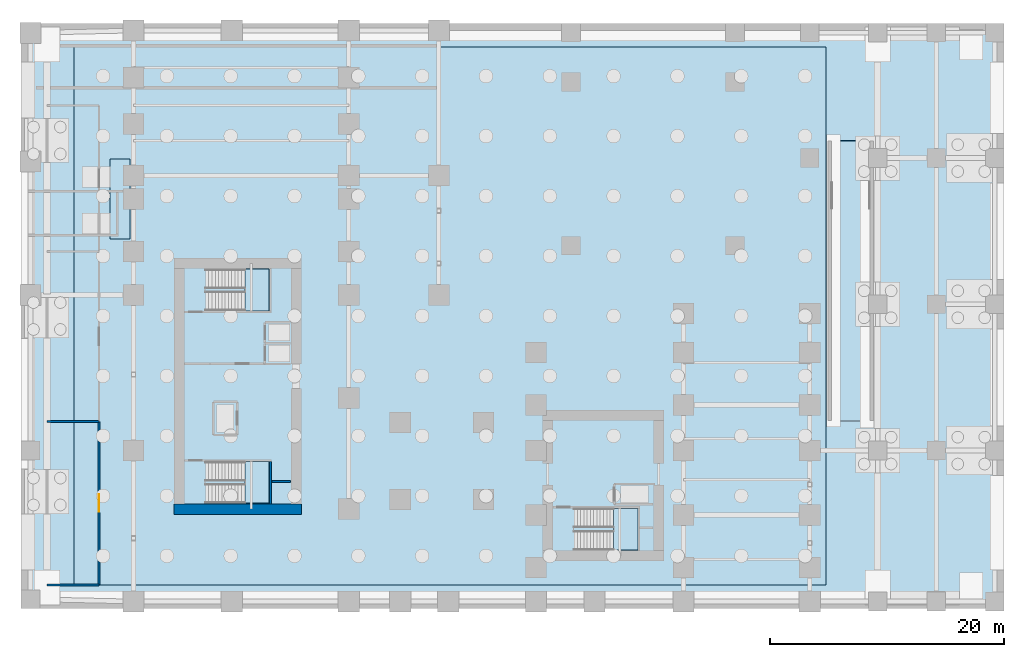
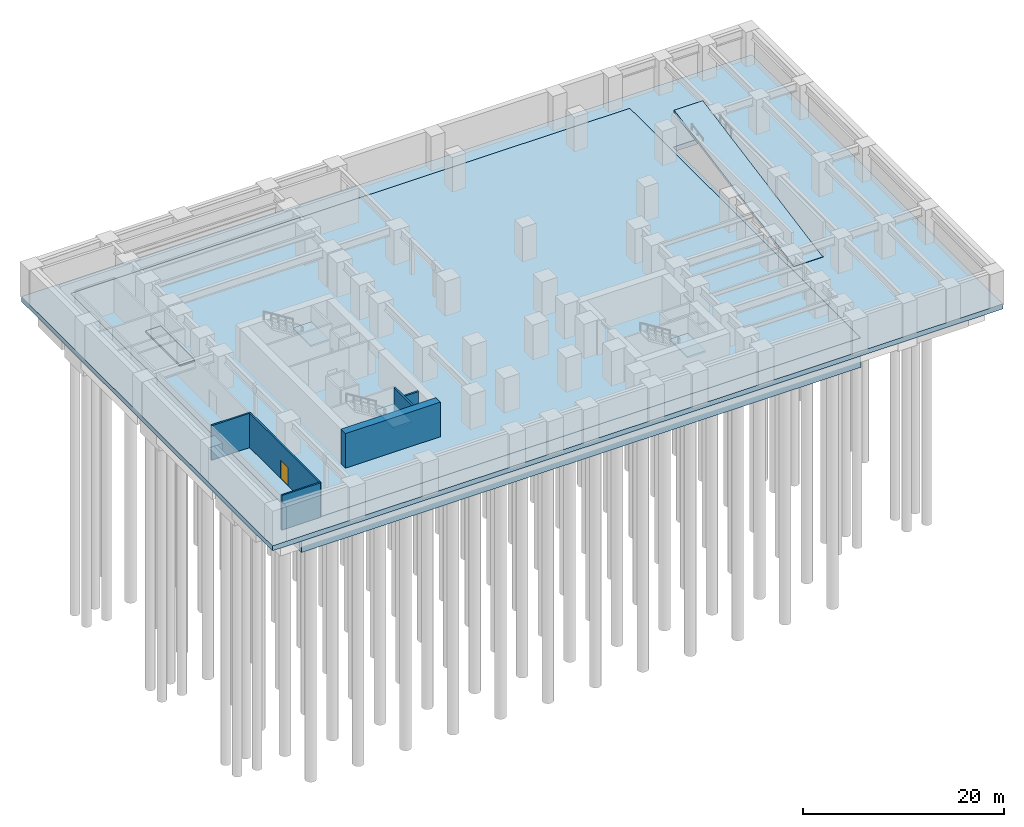
# One storey, part 9 of 15: 7 slabs, 6 walls, 1 door, 1 opening, 3 elements without a shape of their own.
"""IFC4 building model written with IfcOpenShell, lengths in metres."""

from ifc_helpers import new_model, si_unit, direction, frame, frame_2d, origin, place, context, subcontext, project, spatial, polyline, rectangle, outline, extrude, source, transform, mapped, material, layer, layer_set, type_object, element, fill, aggregate, save


model = new_model("IFC4")

# Units and contexts
model_context = context("Model", 3, precision=1e-05, world=origin(), true_north=direction((0.0, 1.0)))
body_context = subcontext(model_context, "Body", "Model", "MODEL_VIEW")
ifc_project = project(units=[si_unit("LENGTHUNIT", "METRE"), si_unit("AREAUNIT", "SQUARE_METRE"), si_unit("VOLUMEUNIT", "CUBIC_METRE"), si_unit("PLANEANGLEUNIT", "RADIAN"), si_unit("MASSUNIT", "GRAM", prefix="KILO")], contexts=[model_context])

# Site, building, storey
site_placement = place(None, origin())
site = spatial("IfcSite", under=ifc_project, at=site_placement, CompositionType="ELEMENT")
building_placement = place(site_placement, origin())
building = spatial("IfcBuilding", under=site, at=building_placement, Name="Kharzan Plaza Tower", CompositionType="ELEMENT")
storey_placement = place(building_placement, frame((0.0, 0.0, -9.0)))
storey = spatial("IfcBuildingStorey", under=building, at=storey_placement, Name="B02", CompositionType="ELEMENT", Elevation=-9.0)

# Slabs
ifc_material_1 = material(Name="Concrete C50/60", Category="concrete")
ifc_layer_1 = layer(ifc_material_1, 0.60009765625)
ifc_layer_set_1 = layer_set([ifc_layer_1], Name="Concrete C50/60")
slab_type_1 = type_object("IfcSlabType", Name="SL-COLLAR-600", PredefinedType="BASESLAB", material=ifc_layer_set_1)
slab_1_placement = place(storey_placement, frame((0.0, 0.0, -0.60009765625)))
element("IfcSlab", 1, at=slab_1_placement, inside=storey, type_object=slab_type_1, Name="B02 Basement Perimeter Collar Base Slab 600 mm", PredefinedType="BASESLAB", context=body_context, shape_type="SweptSolid", body=[
    extrude(outline(polyline([(-9.0, 0.0), (75.0, 0.0), (75.0, 50.0), (-9.0, 50.0), (-9.0, 0.0)]), holes=[polyline([(-4.5, 2.0), (59.800048828125, 2.0), (59.800048828125, 48.0), (-4.5, 48.0), (-4.5, 2.0)]), polyline([(60.199951171875, 16.0), (63.60009765625, 16.0), (63.60009765625, 40.0), (60.199951171875, 40.0), (60.199951171875, 16.0)])]), origin(), (0.0, 0.0, 1.0), 0.60009765625),
])
ifc_material_2 = material(Name="Concrete C40/50", Category="concrete")
ifc_layer_2 = layer(ifc_material_2, 0.199951171875)
ifc_layer_set_2 = layer_set([ifc_layer_2], Name="Concrete C40/50")
slab_type_2 = type_object("IfcSlabType", Name="SL-FLOOR-200", PredefinedType="FLOOR", material=ifc_layer_set_2)
slab_2_placement = place(storey_placement, origin())
element("IfcSlab", 2, at=slab_2_placement, inside=storey, type_object=slab_type_2, Name="B02 Plant Threshold Raised Plinth Slab 200 mm", PredefinedType="FLOOR", context=body_context, shape_type="SweptSolid", body=[
    extrude(outline(polyline([(-1.39990234375, 31.60009765625), (0.300048828125, 31.60009765625), (0.300048828125, 38.39990234375), (-1.39990234375, 38.39990234375), (-1.39990234375, 31.60009765625)])), origin(), (0.0, 0.0, 1.0), 0.199951171875),
])

# Stair, slab
stair_type_1 = type_object("IfcStairType", Name="STR-ST-1", PredefinedType="HALF_TURN_STAIR", material=ifc_material_2)
stair_1_placement = place(storey_placement, origin())
stair_1 = element("IfcStair", 3, at=stair_1_placement, inside=storey, type_object=stair_type_1, Name="B02 Protected Exit Stair ST-1", PredefinedType="HALF_TURN_STAIR")
ifc_layer_3 = layer(ifc_material_2, 0.219970703125)
ifc_layer_set_3 = layer_set([ifc_layer_3], Name="Concrete C40/50")
slab_type_3 = type_object("IfcSlabType", Name="SL-LANDING-220", PredefinedType="LANDING", material=ifc_layer_set_3)
slab_3_placement = place(storey_placement, frame((0.0, 0.0, 2.050048828125)))
slab_3 = element("IfcSlab", 4, at=slab_3_placement, type_object=slab_type_3, Name="ST-1 landing 1", PredefinedType="LANDING", context=body_context, shape_type="SweptSolid", body=[
    extrude(outline(polyline([(10.110107421875, 9.0), (12.199951171875, 9.0), (12.199951171875, 12.550048828125), (10.110107421875, 12.550048828125), (10.110107421875, 9.0)])), origin(), (0.0, 0.0, 1.0), 0.199951171875),
])
aggregate(stair_1, [slab_3])

stair_type_2 = type_object("IfcStairType", Name="STR-ST-2", PredefinedType="HALF_TURN_STAIR", material=ifc_material_2)
stair_2_placement = place(storey_placement, origin())
stair_2 = element("IfcStair", 5, at=stair_2_placement, inside=storey, type_object=stair_type_2, Name="B02 Protected Exit Stair ST-2", PredefinedType="HALF_TURN_STAIR")
slab_4_placement = place(storey_placement, frame((0.0, 0.0, 2.050048828125)))
slab_4 = element("IfcSlab", 6, at=slab_4_placement, type_object=slab_type_3, Name="ST-2 landing 1", PredefinedType="LANDING", context=body_context, shape_type="SweptSolid", body=[
    extrude(outline(polyline([(10.110107421875, 25.449951171875), (12.199951171875, 25.449951171875), (12.199951171875, 29.0), (10.110107421875, 29.0), (10.110107421875, 25.449951171875)])), origin(), (0.0, 0.0, 1.0), 0.199951171875),
])
aggregate(stair_2, [slab_4])

stair_type_3 = type_object("IfcStairType", Name="STR-ST-3", PredefinedType="HALF_TURN_STAIR", material=ifc_material_2)
stair_3_placement = place(storey_placement, origin())
stair_3 = element("IfcStair", 7, at=stair_3_placement, inside=storey, type_object=stair_type_3, Name="B02 Protected Exit Stair ST-3", PredefinedType="HALF_TURN_STAIR")
slab_5_placement = place(storey_placement, frame((0.0, 0.0, 2.050048828125)))
slab_5 = element("IfcSlab", 8, at=slab_5_placement, type_object=slab_type_3, Name="ST-3 landing 1", PredefinedType="LANDING", context=body_context, shape_type="SweptSolid", body=[
    extrude(outline(polyline([(41.610107421875, 5.0), (43.699951171875, 5.0), (43.699951171875, 8.550048828125), (41.610107421875, 8.550048828125), (41.610107421875, 5.0)])), origin(), (0.0, 0.0, 1.0), 0.199951171875),
])
aggregate(stair_3, [slab_5])

# Slabs
ifc_layer_4 = layer(ifc_material_1, 3.60009765625)
ifc_layer_set_4 = layer_set([ifc_layer_4], Name="Concrete C50/60")
slab_type_4 = type_object("IfcSlabType", Name="SL-RAFT-3600", PredefinedType="BASESLAB", material=ifc_layer_set_4)
slab_6_placement = place(storey_placement, frame((0.0, 0.0, -3.60009765625)))
element("IfcSlab", 9, at=slab_6_placement, inside=storey, type_object=slab_type_4, Name="B02 Piled Raft Foundation Base Slab 3600 mm", PredefinedType="BASESLAB", context=body_context, shape_type="SweptSolid", body=[
    extrude(outline(polyline([(-4.5, 2.0), (59.800048828125, 2.0), (59.800048828125, 48.0), (-4.5, 48.0), (-4.5, 2.0)])), origin(), (0.0, 0.0, 1.0), 3.60009765625),
])
ifc_layer_5 = layer(ifc_material_2, 0.300048828125)
ifc_layer_set_5 = layer_set([ifc_layer_5], Name="Concrete C40/50")
slab_type_5 = type_object("IfcSlabType", Name="SLB-VR-300", PredefinedType="FLOOR", material=ifc_layer_set_5)
slab_7_placement = place(storey_placement, frame((60.25, 16.050048828125, 0.0), z_axis=(0.0, -0.185034000316, 0.982732119515), x_axis=(0.0, 0.982732119515, 0.185034000316)))
element("IfcSlab", 10, at=slab_7_placement, inside=storey, type_object=slab_type_5, Name="Car Park Vehicular Ramp Structural Slab VR-B2-B1", PredefinedType="FLOOR", context=body_context, shape_type="SweptSolid", body=[
    extrude(outline(polyline([(0.0, 0.0), (24.319854687904424, 0.0), (24.319854687904424, -3.300048828125), (0.0, -3.300048828125), (0.0, 0.0)])), origin(), (0.0, 0.0, -1.0), 0.300048828125),
])

# Wall, opening, door
ifc_layer_6 = layer(ifc_material_2, 0.179931640625)
ifc_layer_set_6 = layer_set([ifc_layer_6], Name="Concrete C40/50")
wall_type_1 = type_object("IfcWallType", Name="WL-INT-FIRE-180", PredefinedType="PARTITIONING", material=ifc_layer_set_6)
wall_1_placement = place(storey_placement, frame((-2.35009765625, 2.0, 0.0), z_axis=(0.0, 0.0, 1.0), x_axis=(0.0, 1.0, 0.0)))
wall_1 = element("IfcWall", 11, at=wall_1_placement, inside=storey, type_object=wall_type_1, Name="B02 Interior Partition B02-PW1", PredefinedType="PARTITIONING", context=body_context, shape_type="SweptSolid", body=[
    extrude(rectangle(XDim=14.0, YDim=0.179931640625, at=frame_2d((7.0, 0.0))), origin(), (0.0, 0.0, 1.0), 4.18505859375),
])
opening_placement = place(wall_1_placement, frame((6.25, 0.0, 0.0)))
opening = element("IfcOpeningElement", 12, at=opening_placement, cuts=wall_1, Name="Opening PD1", PredefinedType="OPENING", context=body_context, shape_type="SweptSolid", body=[
    extrude(rectangle(XDim=1.5, YDim=2.199951171875, at=frame_2d((0.75, 1.10009765625))), frame((0.0, 0.099853515625, 0.0), z_axis=(0.0, -1.0, 0.0), x_axis=(1.0, 0.0, 0.0)), (0.0, 0.0, 1.0), 0.199951171875),
])
ifc_material_3 = material(Name="Galvanized Louvred Acoustic Steel", Category="steel")
door_type = type_object("IfcDoorType", Name="DR-PLANT-DBL", OperationType="DOUBLE_DOOR_SINGLE_SWING", PredefinedType="DOOR", material=ifc_material_3)
shared_shape_1 = source(origin(), body_context, "Body", "SweptSolid", [
    extrude(rectangle(XDim=1.5, YDim=2.199951171875, at=frame_2d((0.75, 1.10009765625))), frame((0.0, 0.02490234375, 0.0), z_axis=(0.0, -1.0, 0.0), x_axis=(1.0, 0.0, 0.0)), (0.0, 0.0, 1.0), 0.050048828125),
])
door_placement = place(opening_placement, origin())
door = element("IfcDoor", 13, at=door_placement, inside=storey, type_object=door_type, Name="B02 Fire Water Tank Room Door", OperationType="DOUBLE_DOOR_SINGLE_SWING", OverallHeight=2.199951171875, OverallWidth=1.5, PredefinedType="DOOR", context=body_context, shape_type="MappedRepresentation", body=[
    mapped(shared_shape_1, transform((0.0, 0.0, 0.0), x_axis=(1.0, 0.0, 0.0), y_axis=(0.0, 1.0, 0.0), z_axis=(0.0, 0.0, 1.0))),
])
fill(opening, door)

# Walls
ifc_material_4 = material(Name="Concrete C60/75", Category="concrete")
ifc_layer_7 = layer(ifc_material_4, 0.89990234375)
ifc_layer_set_7 = layer_set([ifc_layer_7], Name="Concrete C60/75")
wall_type_2 = type_object("IfcWallType", Name="WL-CORE-900", PredefinedType="SHEAR", material=ifc_layer_set_7)
shared_shape_2 = source(origin(), body_context, "Body", "SweptSolid", [
    extrude(rectangle(XDim=10.89990234375, YDim=0.89990234375, at=frame_2d((5.449951171875, 0.0))), origin(), (0.0, 0.0, 1.0), 4.199951171875),
])
wall_2_placement = place(storey_placement, frame((4.050048828125, 8.5, 0.0), z_axis=(0.0, 0.0, 1.0), x_axis=(1.0, 0.0, 0.0)))
element("IfcWall", 14, at=wall_2_placement, inside=storey, type_object=wall_type_2, Name="B02 CORE-A south RC shear wall", PredefinedType="SHEAR", context=body_context, shape_type="MappedRepresentation", body=[
    mapped(shared_shape_2, transform((0.0, 0.0, 0.0), x_axis=(1.0, 0.0, 0.0), y_axis=(0.0, 1.0, 0.0), z_axis=(0.0, 0.0, 1.0))),
])
shared_shape_3 = source(origin(), body_context, "Body", "SweptSolid", [
    extrude(rectangle(XDim=4.449951171875, YDim=0.179931640625, at=frame_2d((2.22509765625, 0.0))), origin(), (0.0, 0.0, 1.0), 4.18505859375),
])
for number, where, z_axis, x_axis, name in (
    (15, (-6.800048828125, 16.0, 0.0), (0.0, 0.0, 1.0), (1.0, 0.0, 0.0), "B02 Interior Partition B02-PM1"),
    (16, (-6.800048828125, 2.0, 0.0), (0.0, 0.0, 1.0), (1.0, 0.0, 0.0), "B02 Interior Partition B02-PS0"),
):
    element("IfcWall", number, at=place(storey_placement, frame(where, z_axis=z_axis, x_axis=x_axis)), inside=storey, type_object=wall_type_1, Name=name, PredefinedType="PARTITIONING", context=body_context, shape_type="MappedRepresentation", body=[
        mapped(shared_shape_3, transform((0.0, 0.0, 0.0), x_axis=(1.0, 0.0, 0.0), y_axis=(0.0, 1.0, 0.0), z_axis=(0.0, 0.0, 1.0))),
    ])
ifc_layer_8 = layer(ifc_material_2, 0.199951171875)
ifc_layer_set_8 = layer_set([ifc_layer_8], Name="Concrete C40/50")
wall_type_3 = type_object("IfcWallType", Name="WL-INT-SHAFT-200", PredefinedType="PARTITIONING", material=ifc_layer_set_8)
shared_shape_4 = source(origin(), body_context, "Body", "SweptSolid", [
    extrude(rectangle(XDim=1.60009765625, YDim=0.199951171875, at=frame_2d((0.800048828125, 0.0))), origin(), (0.0, 0.0, 1.0), 4.18505859375),
])
wall_3_placement = place(storey_placement, frame((12.419921875, 10.85009765625, 0.0), z_axis=(0.0, 0.0, 1.0), x_axis=(1.0, 0.0, 0.0)))
element("IfcWall", 17, at=wall_3_placement, inside=storey, type_object=wall_type_3, Name="B02 Interior Partition CA-RSRA-N", PredefinedType="PARTITIONING", context=body_context, shape_type="MappedRepresentation", body=[
    mapped(shared_shape_4, transform((0.0, 0.0, 0.0), x_axis=(1.0, 0.0, 0.0), y_axis=(0.0, 1.0, 0.0), z_axis=(0.0, 0.0, 1.0))),
])
ifc_layer_9 = layer(ifc_material_1, 0.199951171875)
ifc_layer_set_9 = layer_set([ifc_layer_9], Name="Concrete C50/60")
wall_type_4 = type_object("IfcWallType", Name="WL-SHAFT-RC200", PredefinedType="SHEAR", material=ifc_layer_set_9)
shared_shape_5 = source(origin(), body_context, "Body", "SweptSolid", [
    extrude(rectangle(XDim=3.60302734375, YDim=0.199951171875, at=frame_2d((1.801513671875, 0.0))), origin(), (0.0, 0.0, 1.0), 4.199951171875),
])
wall_4_placement = place(storey_placement, frame((12.304931640625, 8.951904296875, 0.0), z_axis=(0.0, 0.0, 1.0), x_axis=(0.0, 1.0, 0.0)))
element("IfcWall", 18, at=wall_4_placement, inside=storey, type_object=wall_type_4, Name="B02 Stair ST-1 East RC Shaft Wall", PredefinedType="SHEAR", context=body_context, shape_type="MappedRepresentation", body=[
    mapped(shared_shape_5, transform((0.0, 0.0, 0.0), x_axis=(1.0, 0.0, 0.0), y_axis=(0.0, 1.0, 0.0), z_axis=(0.0, 0.0, 1.0))),
])

save(model, "model.ifc")
